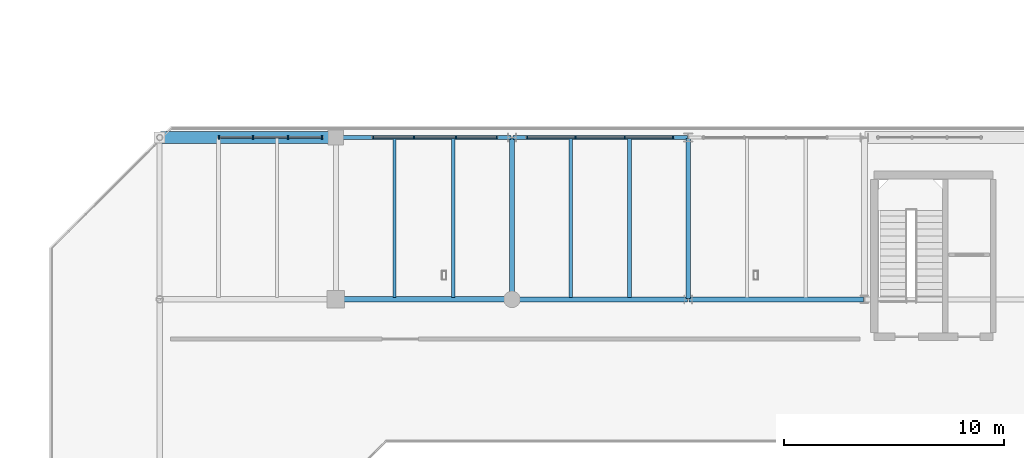
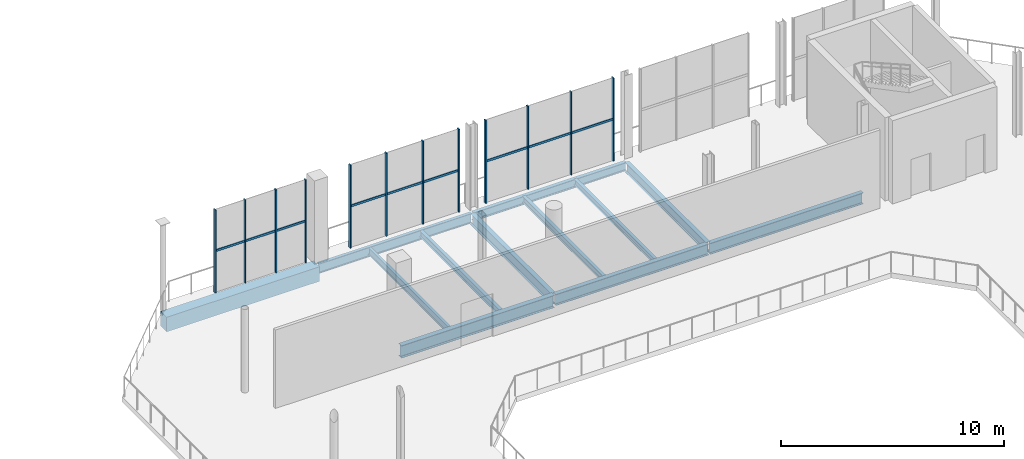
# One storey, part 21 of 51: 21 members, 12 beams, 3 elements without a shape of their own.
"""IFC4 building model written with IfcOpenShell, lengths in metres."""

from ifc_helpers import new_model, si_unit, direction, frame, origin, origin_2d, place, context, subcontext, project, spatial, rectangle, i_section, extrude, material, material_profile, profile_set, type_object, element, aggregate, save


model = new_model("IFC4")

# Units and contexts
model_context = context("Model", 3, precision=1e-05, world=origin(), true_north=direction((0.0, 1.0)))
body_context = subcontext(model_context, "Body", "Model", "MODEL_VIEW")
ifc_project = project(units=[si_unit("LENGTHUNIT", "METRE"), si_unit("AREAUNIT", "SQUARE_METRE"), si_unit("VOLUMEUNIT", "CUBIC_METRE"), si_unit("PLANEANGLEUNIT", "RADIAN"), si_unit("MASSUNIT", "GRAM", prefix="KILO")], contexts=[model_context])

# Site, building, storey
site_placement = place(None, origin())
site = spatial("IfcSite", under=ifc_project, at=site_placement, CompositionType="ELEMENT")
building_placement = place(site_placement, origin())
building = spatial("IfcBuilding", under=site, at=building_placement, Name="Brisemont Oceanarium", CompositionType="ELEMENT")
storey_placement = place(building_placement, frame((0.0, 0.0, 15.0)))
storey = spatial("IfcBuildingStorey", under=building, at=storey_placement, Name="L03", CompositionType="ELEMENT", Elevation=15.0)

# Beams
ifc_material_1 = material(Name="Concrete C40/50", Category="concrete")
ifc_material_profile_1 = material_profile(ifc_material_1, rectangle(XDim=0.550048828125, YDim=0.800048828125, at=origin_2d()), Name="RC-BM-550X800")
ifc_profile_set_1 = profile_set([ifc_material_profile_1], Name="Concrete C40/50")
beam_type_1 = type_object("IfcBeamType", Name="BM-RC550X800", PredefinedType="SPANDREL", material=ifc_profile_set_1)
beam_1_placement = place(storey_placement, frame((64.0400390625, 79.35009765625, -0.679931640625), z_axis=(1.0, 0.0, 0.0), x_axis=(0.0, 1.0, 0.0)))
element("IfcBeam", 1, at=beam_1_placement, inside=storey, type_object=beam_type_1, Name="V1 L03 EW girder", PredefinedType="SPANDREL", context=body_context, shape_type="SweptSolid", body=[
    extrude(rectangle(XDim=0.550048828125, YDim=0.800048828125, at=origin_2d()), origin(), (0.0, 0.0, 1.0), 7.919921875),
])
ifc_material_2 = material(Name="Structural Steel ASTM A992 Gr.50", Category="steel")
ifc_material_profile_2 = material_profile(ifc_material_2, i_section(OverallWidth=0.1650390625, OverallDepth=0.31005859375, WebThickness=0.005859375, FlangeThickness=0.009765625, FilletRadius=0.008056640625, at=origin_2d()), Name="W12X26")
ifc_profile_set_2 = profile_set([ifc_material_profile_2], Name="Structural Steel ASTM A992 Gr.50")
beam_type_2 = type_object("IfcBeamType", Name="BM-W12X26", PredefinedType="JOIST", material=ifc_profile_set_2)
beam_2_placement = place(storey_placement, frame((85.333251953125, 72.090087890625, -0.43505859375), z_axis=(0.0, 1.0, 0.0), x_axis=(-1.0, 0.0, 0.0)))
element("IfcBeam", 2, at=beam_2_placement, inside=storey, type_object=beam_type_2, Name="V1 L03 secondary floor beam", PredefinedType="JOIST", context=body_context, shape_type="SweptSolid", body=[
    extrude(i_section(OverallWidth=0.1650390625, OverallDepth=0.31005859375, WebThickness=0.005859375, FlangeThickness=0.009765625, FilletRadius=0.008056640625, at=origin_2d()), origin(), (0.0, 0.0, 1.0), 7.219970703125),
])
ifc_material_3 = material(Name="Structural Steel ASTM A992 Gr.50", Category="steel")
ifc_material_profile_3 = material_profile(ifc_material_3, i_section(OverallWidth=0.1708984375, OverallDepth=0.35107421875, WebThickness=0.0068359375, FlangeThickness=0.009765625, FilletRadius=0.010009765625, at=origin_2d()), Name="W14X30")
ifc_profile_set_3 = profile_set([ifc_material_profile_3], Name="Structural Steel ASTM A992 Gr.50")
beam_type_3 = type_object("IfcBeamType", Name="BM-W14X30", PredefinedType="JOIST", material=ifc_profile_set_3)
for number, where, z_axis, x_axis, name in (
    (3, (77.333251953125, 72.090087890625, -0.45556640625), (0.0, 1.0, 0.0), (-1.0, 0.0, 0.0), "V1 L03 secondary floor beam"),
    (4, (82.666748046875, 72.090087890625, -0.45556640625), (0.0, 1.0, 0.0), (-1.0, 0.0, 0.0), "V1 L03 secondary floor beam"),
):
    element("IfcBeam", number, at=place(storey_placement, frame(where, z_axis=z_axis, x_axis=x_axis)), inside=storey, type_object=beam_type_3, Name=name, PredefinedType="JOIST", context=body_context, shape_type="SweptSolid", body=[
        extrude(i_section(OverallWidth=0.1708984375, OverallDepth=0.35107421875, WebThickness=0.0068359375, FlangeThickness=0.009765625, FilletRadius=0.010009765625, at=origin_2d()), origin(), (0.0, 0.0, 1.0), 7.219970703125),
    ])
ifc_material_4 = material(Name="Structural Steel ASTM A992 Gr.50", Category="steel")
ifc_material_profile_4 = material_profile(ifc_material_4, i_section(OverallWidth=0.139892578125, OverallDepth=0.39892578125, WebThickness=0.00634765625, FlangeThickness=0.0087890625, FilletRadius=0.010009765625, at=origin_2d()), Name="W16X26")
ifc_profile_set_4 = profile_set([ifc_material_profile_4], Name="Structural Steel ASTM A992 Gr.50")
beam_type_4 = type_object("IfcBeamType", Name="BM-W16X26", PredefinedType="JOIST", material=ifc_profile_set_4)
beam_3_placement = place(storey_placement, frame((74.666748046875, 72.090087890625, -0.4794921875), z_axis=(0.0, 1.0, 0.0), x_axis=(-1.0, 0.0, 0.0)))
element("IfcBeam", 5, at=beam_3_placement, inside=storey, type_object=beam_type_4, Name="V1 L03 secondary floor beam", PredefinedType="JOIST", context=body_context, shape_type="SweptSolid", body=[
    extrude(i_section(OverallWidth=0.139892578125, OverallDepth=0.39892578125, WebThickness=0.00634765625, FlangeThickness=0.0087890625, FilletRadius=0.010009765625, at=origin_2d()), origin(), (0.0, 0.0, 1.0), 7.219970703125),
])
ifc_material_5 = material(Name="Structural Steel ASTM A992 Gr.50", Category="steel")
ifc_material_profile_5 = material_profile(ifc_material_5, i_section(OverallWidth=0.19091796875, OverallDepth=0.4599609375, WebThickness=0.010009765625, FlangeThickness=0.01611328125, FilletRadius=0.010986328125, at=origin_2d()), Name="W18X55")
ifc_profile_set_5 = profile_set([ifc_material_profile_5], Name="Structural Steel ASTM A992 Gr.50")
beam_type_5 = type_object("IfcBeamType", Name="BM-W18X55", PredefinedType="SPANDREL", material=ifc_profile_set_5)
beam_4_placement = place(storey_placement, frame((80.0400390625, 79.35009765625, -0.510009765625), z_axis=(1.0, 0.0, 0.0), x_axis=(0.0, 1.0, 0.0)))
element("IfcBeam", 6, at=beam_4_placement, inside=storey, type_object=beam_type_5, Name="V1 L03 EW girder", PredefinedType="SPANDREL", context=body_context, shape_type="SweptSolid", body=[
    extrude(i_section(OverallWidth=0.19091796875, OverallDepth=0.4599609375, WebThickness=0.010009765625, FlangeThickness=0.01611328125, FilletRadius=0.010986328125, at=origin_2d()), origin(), (0.0, 0.0, 1.0), 7.919921875),
])
ifc_material_6 = material(Name="Structural Steel ASTM A992 Gr.50", Category="steel")
ifc_material_profile_6 = material_profile(ifc_material_6, i_section(OverallWidth=0.166015625, OverallDepth=0.528076171875, WebThickness=0.009765625, FlangeThickness=0.013671875, FilletRadius=0.012939453125, at=origin_2d()), Name="W21X50")
ifc_profile_set_6 = profile_set([ifc_material_profile_6], Name="Structural Steel ASTM A992 Gr.50")
beam_type_6 = type_object("IfcBeamType", Name="BM-W21X50", PredefinedType="SPANDREL", material=ifc_profile_set_6)
beam_5_placement = place(storey_placement, frame((72.0400390625, 79.35009765625, -0.5439453125), z_axis=(1.0, 0.0, 0.0), x_axis=(0.0, 1.0, 0.0)))
element("IfcBeam", 7, at=beam_5_placement, inside=storey, type_object=beam_type_6, Name="V1 L03 EW girder", PredefinedType="SPANDREL", context=body_context, shape_type="SweptSolid", body=[
    extrude(i_section(OverallWidth=0.166015625, OverallDepth=0.528076171875, WebThickness=0.009765625, FlangeThickness=0.013671875, FilletRadius=0.012939453125, at=origin_2d()), origin(), (0.0, 0.0, 1.0), 7.919921875),
])
ifc_material_7 = material(Name="Structural Steel ASTM A992 Gr.50", Category="steel")
ifc_material_profile_7 = material_profile(ifc_material_7, i_section(OverallWidth=0.2099609375, OverallDepth=0.532958984375, WebThickness=0.01025390625, FlangeThickness=0.015625, FilletRadius=0.012939453125, at=origin_2d()), Name="W21X62")
ifc_profile_set_7 = profile_set([ifc_material_profile_7], Name="Structural Steel ASTM A992 Gr.50")
beam_type_7 = type_object("IfcBeamType", Name="BM-W21X62", PredefinedType="BEAM", material=ifc_profile_set_7)
beam_6_placement = place(storey_placement, frame((88.0, 72.0400390625, -0.54638671875), z_axis=(0.0, 1.0, 0.0), x_axis=(-1.0, 0.0, 0.0)))
element("IfcBeam", 8, at=beam_6_placement, inside=storey, type_object=beam_type_7, Name="V1 L03 NS girder", PredefinedType="BEAM", context=body_context, shape_type="SweptSolid", body=[
    extrude(i_section(OverallWidth=0.2099609375, OverallDepth=0.532958984375, WebThickness=0.01025390625, FlangeThickness=0.015625, FilletRadius=0.012939453125, at=origin_2d()), origin(), (0.0, 0.0, 1.0), 7.27001953125),
])
ifc_material_8 = material(Name="Structural Steel ASTM A992 Gr.50", Category="steel")
ifc_material_profile_8 = material_profile(ifc_material_8, i_section(OverallWidth=0.22802734375, OverallDepth=0.60205078125, WebThickness=0.010498046875, FlangeThickness=0.014892578125, FilletRadius=0.012939453125, at=origin_2d()), Name="W24X68")
ifc_profile_set_8 = profile_set([ifc_material_profile_8], Name="Structural Steel ASTM A992 Gr.50")
beam_type_8 = type_object("IfcBeamType", Name="BM-W24X68", PredefinedType="BEAM", material=ifc_profile_set_8)
beam_7_placement = place(storey_placement, frame((80.0, 72.0400390625, -0.5810546875), z_axis=(0.0, 1.0, 0.0), x_axis=(-1.0, 0.0, 0.0)))
element("IfcBeam", 9, at=beam_7_placement, inside=storey, type_object=beam_type_8, Name="V1 L03 NS girder", PredefinedType="BEAM", context=body_context, shape_type="SweptSolid", body=[
    extrude(i_section(OverallWidth=0.22802734375, OverallDepth=0.60205078125, WebThickness=0.010498046875, FlangeThickness=0.014892578125, FilletRadius=0.012939453125, at=origin_2d()), origin(), (0.0, 0.0, 1.0), 7.27001953125),
])
ifc_material_9 = material(Name="Structural Steel ASTM A992 Gr.50", Category="steel")
ifc_material_profile_9 = material_profile(ifc_material_9, i_section(OverallWidth=0.22802734375, OverallDepth=0.60791015625, WebThickness=0.01123046875, FlangeThickness=0.017333984375, FilletRadius=0.012939453125, at=origin_2d()), Name="W24X76")
ifc_profile_set_9 = profile_set([ifc_material_profile_9], Name="Structural Steel ASTM A992 Gr.50")
beam_type_9 = type_object("IfcBeamType", Name="BM-W24X76", PredefinedType="BEAM", material=ifc_profile_set_9)
beam_8_placement = place(storey_placement, frame((88.0400390625, 72.0, -0.583984375), z_axis=(1.0, 0.0, 0.0), x_axis=(0.0, 1.0, 0.0)))
element("IfcBeam", 10, at=beam_8_placement, inside=storey, type_object=beam_type_9, Name="V1 L03 EW girder", PredefinedType="BEAM", context=body_context, shape_type="SweptSolid", body=[
    extrude(i_section(OverallWidth=0.22802734375, OverallDepth=0.60791015625, WebThickness=0.01123046875, FlangeThickness=0.017333984375, FilletRadius=0.012939453125, at=origin_2d()), origin(), (0.0, 0.0, 1.0), 7.919921875),
])
ifc_material_10 = material(Name="Structural Steel ASTM A992 Gr.50", Category="steel")
ifc_material_profile_10 = material_profile(ifc_material_10, i_section(OverallWidth=0.22900390625, OverallDepth=0.612060546875, WebThickness=0.011962890625, FlangeThickness=0.01953125, FilletRadius=0.012939453125, at=origin_2d()), Name="W24X84")
ifc_profile_set_10 = profile_set([ifc_material_profile_10], Name="Structural Steel ASTM A992 Gr.50")
beam_type_10 = type_object("IfcBeamType", Name="BM-W24X84", PredefinedType="BEAM", material=ifc_profile_set_10)
beam_9_placement = place(storey_placement, frame((80.0400390625, 72.0, -0.5859375), z_axis=(1.0, 0.0, 0.0), x_axis=(0.0, 1.0, 0.0)))
element("IfcBeam", 11, at=beam_9_placement, inside=storey, type_object=beam_type_10, Name="V1 L03 EW girder", PredefinedType="BEAM", context=body_context, shape_type="SweptSolid", body=[
    extrude(i_section(OverallWidth=0.22900390625, OverallDepth=0.612060546875, WebThickness=0.011962890625, FlangeThickness=0.01953125, FilletRadius=0.012939453125, at=origin_2d()), origin(), (0.0, 0.0, 1.0), 7.919921875),
])
ifc_material_11 = material(Name="Structural Steel ASTM A992 Gr.50", Category="steel")
ifc_material_profile_11 = material_profile(ifc_material_11, i_section(OverallWidth=0.2529296875, OverallDepth=0.677978515625, WebThickness=0.01171875, FlangeThickness=0.016357421875, FilletRadius=0.014892578125, at=origin_2d()), Name="W27X84")
ifc_profile_set_11 = profile_set([ifc_material_profile_11], Name="Structural Steel ASTM A992 Gr.50")
beam_type_11 = type_object("IfcBeamType", Name="BM-W27X84", PredefinedType="BEAM", material=ifc_profile_set_11)
beam_10_placement = place(storey_placement, frame((72.0400390625, 72.0, -0.618896484375), z_axis=(1.0, 0.0, 0.0), x_axis=(0.0, 1.0, 0.0)))
element("IfcBeam", 12, at=beam_10_placement, inside=storey, type_object=beam_type_11, Name="V1 L03 EW girder", PredefinedType="BEAM", context=body_context, shape_type="SweptSolid", body=[
    extrude(i_section(OverallWidth=0.2529296875, OverallDepth=0.677978515625, WebThickness=0.01171875, FlangeThickness=0.016357421875, FilletRadius=0.014892578125, at=origin_2d()), origin(), (0.0, 0.0, 1.0), 7.919921875),
])

# Curtain wall, members
ifc_material_12 = material(Name="Anodized Extruded Aluminum 6063-T6", Category="aluminium")
curtain_wall_type = type_object("IfcCurtainWallType", Name="CW-CLR-58X36", PredefinedType="NOTDEFINED", material=ifc_material_12)
curtain_wall_1_placement = place(storey_placement, origin())
curtain_wall_1 = element("IfcCurtainWall", 13, at=curtain_wall_1_placement, inside=storey, type_object=curtain_wall_type, Name="CW-21 curtain wall CW-V1-N-L03-01", PredefinedType="NOTDEFINED")
ifc_material_13 = material(Name="Anodized Extruded Aluminum 6063-T6", Category="aluminium")
ifc_material_profile_12 = material_profile(ifc_material_13, rectangle(XDim=0.06005859375, YDim=0.14990234375, at=origin_2d()), Name="CWM-60X150")
ifc_profile_set_12 = profile_set([ifc_material_profile_12], Name="Anodized Extruded Aluminum 6063-T6")
member_type_1 = type_object("IfcMemberType", Name="MEM-CWM-60", PredefinedType="MULLION", material=ifc_profile_set_12)
member_1_placement = place(storey_placement, frame((66.695068359375, 79.35009765625, 0.0), z_axis=(0.0, 0.0, 1.0), x_axis=(1.0, 0.0, 0.0)))
member_1 = element("IfcMember", 14, at=member_1_placement, type_object=member_type_1, Name="CW-V1-N-L03-01 mullion 1", PredefinedType="MULLION", context=body_context, shape_type="SweptSolid", body=[
    extrude(rectangle(XDim=0.06005859375, YDim=0.14990234375, at=origin_2d()), origin(), (0.0, 0.0, 1.0), 4.5400390625),
])
member_2_placement = place(storey_placement, frame((68.239990234375, 79.35009765625, 0.0), z_axis=(0.0, 0.0, 1.0), x_axis=(1.0, 0.0, 0.0)))
member_2 = element("IfcMember", 15, at=member_2_placement, type_object=member_type_1, Name="CW-V1-N-L03-01 mullion 2", PredefinedType="MULLION", context=body_context, shape_type="SweptSolid", body=[
    extrude(rectangle(XDim=0.06005859375, YDim=0.14990234375, at=origin_2d()), origin(), (0.0, 0.0, 1.0), 4.5400390625),
])
member_3_placement = place(storey_placement, frame((69.830078125, 79.35009765625, 0.0), z_axis=(0.0, 0.0, 1.0), x_axis=(1.0, 0.0, 0.0)))
member_3 = element("IfcMember", 16, at=member_3_placement, type_object=member_type_1, Name="CW-V1-N-L03-01 mullion 3", PredefinedType="MULLION", context=body_context, shape_type="SweptSolid", body=[
    extrude(rectangle(XDim=0.06005859375, YDim=0.14990234375, at=origin_2d()), origin(), (0.0, 0.0, 1.0), 4.5400390625),
])
member_4_placement = place(storey_placement, frame((71.375, 79.35009765625, 0.0), z_axis=(0.0, 0.0, 1.0), x_axis=(1.0, 0.0, 0.0)))
member_4 = element("IfcMember", 17, at=member_4_placement, type_object=member_type_1, Name="CW-V1-N-L03-01 mullion 4", PredefinedType="MULLION", context=body_context, shape_type="SweptSolid", body=[
    extrude(rectangle(XDim=0.06005859375, YDim=0.14990234375, at=origin_2d()), origin(), (0.0, 0.0, 1.0), 4.5400390625),
])

curtain_wall_2_placement = place(storey_placement, origin())
curtain_wall_2 = element("IfcCurtainWall", 18, at=curtain_wall_2_placement, inside=storey, type_object=curtain_wall_type, Name="CW-21 curtain wall CW-V1-N-L03-02", PredefinedType="NOTDEFINED")
member_5_placement = place(storey_placement, frame((73.695068359375, 79.35009765625, 0.0), z_axis=(0.0, 0.0, 1.0), x_axis=(1.0, 0.0, 0.0)))
member_5 = element("IfcMember", 19, at=member_5_placement, type_object=member_type_1, Name="CW-V1-N-L03-02 mullion 1", PredefinedType="MULLION", context=body_context, shape_type="SweptSolid", body=[
    extrude(rectangle(XDim=0.06005859375, YDim=0.14990234375, at=origin_2d()), origin(), (0.0, 0.0, 1.0), 4.5400390625),
])
member_6_placement = place(storey_placement, frame((75.550048828125, 79.35009765625, 0.0), z_axis=(0.0, 0.0, 1.0), x_axis=(1.0, 0.0, 0.0)))
member_6 = element("IfcMember", 20, at=member_6_placement, type_object=member_type_1, Name="CW-V1-N-L03-02 mullion 2", PredefinedType="MULLION", context=body_context, shape_type="SweptSolid", body=[
    extrude(rectangle(XDim=0.06005859375, YDim=0.14990234375, at=origin_2d()), origin(), (0.0, 0.0, 1.0), 4.5400390625),
])
member_7_placement = place(storey_placement, frame((77.449951171875, 79.35009765625, 0.0), z_axis=(0.0, 0.0, 1.0), x_axis=(1.0, 0.0, 0.0)))
member_7 = element("IfcMember", 21, at=member_7_placement, type_object=member_type_1, Name="CW-V1-N-L03-02 mullion 3", PredefinedType="MULLION", context=body_context, shape_type="SweptSolid", body=[
    extrude(rectangle(XDim=0.06005859375, YDim=0.14990234375, at=origin_2d()), origin(), (0.0, 0.0, 1.0), 4.5400390625),
])
member_8_placement = place(storey_placement, frame((79.304931640625, 79.35009765625, 0.0), z_axis=(0.0, 0.0, 1.0), x_axis=(1.0, 0.0, 0.0)))
member_8 = element("IfcMember", 22, at=member_8_placement, type_object=member_type_1, Name="CW-V1-N-L03-02 mullion 4", PredefinedType="MULLION", context=body_context, shape_type="SweptSolid", body=[
    extrude(rectangle(XDim=0.06005859375, YDim=0.14990234375, at=origin_2d()), origin(), (0.0, 0.0, 1.0), 4.5400390625),
])

curtain_wall_3_placement = place(storey_placement, origin())
curtain_wall_3 = element("IfcCurtainWall", 23, at=curtain_wall_3_placement, inside=storey, type_object=curtain_wall_type, Name="CW-21 curtain wall CW-V1-N-L03-03", PredefinedType="NOTDEFINED")
member_9_placement = place(storey_placement, frame((80.695068359375, 79.35009765625, 0.0), z_axis=(0.0, 0.0, 1.0), x_axis=(1.0, 0.0, 0.0)))
member_9 = element("IfcMember", 24, at=member_9_placement, type_object=member_type_1, Name="CW-V1-N-L03-03 mullion 1", PredefinedType="MULLION", context=body_context, shape_type="SweptSolid", body=[
    extrude(rectangle(XDim=0.06005859375, YDim=0.14990234375, at=origin_2d()), origin(), (0.0, 0.0, 1.0), 4.5400390625),
])
member_10_placement = place(storey_placement, frame((82.88330078125, 79.35009765625, 0.0), z_axis=(0.0, 0.0, 1.0), x_axis=(1.0, 0.0, 0.0)))
member_10 = element("IfcMember", 25, at=member_10_placement, type_object=member_type_1, Name="CW-V1-N-L03-03 mullion 2", PredefinedType="MULLION", context=body_context, shape_type="SweptSolid", body=[
    extrude(rectangle(XDim=0.06005859375, YDim=0.14990234375, at=origin_2d()), origin(), (0.0, 0.0, 1.0), 4.5400390625),
])
member_11_placement = place(storey_placement, frame((85.11669921875, 79.35009765625, 0.0), z_axis=(0.0, 0.0, 1.0), x_axis=(1.0, 0.0, 0.0)))
member_11 = element("IfcMember", 26, at=member_11_placement, type_object=member_type_1, Name="CW-V1-N-L03-03 mullion 3", PredefinedType="MULLION", context=body_context, shape_type="SweptSolid", body=[
    extrude(rectangle(XDim=0.06005859375, YDim=0.14990234375, at=origin_2d()), origin(), (0.0, 0.0, 1.0), 4.5400390625),
])
member_12_placement = place(storey_placement, frame((87.304931640625, 79.35009765625, 0.0), z_axis=(0.0, 0.0, 1.0), x_axis=(1.0, 0.0, 0.0)))
member_12 = element("IfcMember", 27, at=member_12_placement, type_object=member_type_1, Name="CW-V1-N-L03-03 mullion 4", PredefinedType="MULLION", context=body_context, shape_type="SweptSolid", body=[
    extrude(rectangle(XDim=0.06005859375, YDim=0.14990234375, at=origin_2d()), origin(), (0.0, 0.0, 1.0), 4.5400390625),
])

# Member
ifc_material_14 = material(Name="Anodized Extruded Aluminum 6063-T6", Category="aluminium")
ifc_material_profile_13 = material_profile(ifc_material_14, rectangle(XDim=0.06005859375, YDim=0.1201171875, at=origin_2d()), Name="CWT-60X120")
ifc_profile_set_13 = profile_set([ifc_material_profile_13], Name="Anodized Extruded Aluminum 6063-T6")
member_type_2 = type_object("IfcMemberType", Name="MEM-CWT-60", PredefinedType="USERDEFINED", material=ifc_profile_set_13)
member_13_placement = place(storey_placement, frame((66.6650390625, 79.35009765625, 2.27001953125), z_axis=(1.0, 0.0, 0.0), x_axis=(0.0, 1.0, 0.0)))
member_13 = element("IfcMember", 28, at=member_13_placement, type_object=member_type_2, Name="CW-V1-N-L03-01 transom 1.1", ObjectType="TRANSOM", PredefinedType="USERDEFINED", context=body_context, shape_type="SweptSolid", body=[
    extrude(rectangle(XDim=0.06005859375, YDim=0.1201171875, at=origin_2d()), origin(), (0.0, 0.0, 1.0), 1.56005859375),
])

member_14_placement = place(storey_placement, frame((68.2548828125, 79.35009765625, 2.27001953125), z_axis=(1.0, 0.0, 0.0), x_axis=(0.0, 1.0, 0.0)))
member_14 = element("IfcMember", 29, at=member_14_placement, type_object=member_type_2, Name="CW-V1-N-L03-01 transom 2.1", ObjectType="TRANSOM", PredefinedType="USERDEFINED", context=body_context, shape_type="SweptSolid", body=[
    extrude(rectangle(XDim=0.06005859375, YDim=0.1201171875, at=origin_2d()), origin(), (0.0, 0.0, 1.0), 1.56005859375),
])

member_15_placement = place(storey_placement, frame((69.844970703125, 79.35009765625, 2.27001953125), z_axis=(1.0, 0.0, 0.0), x_axis=(0.0, 1.0, 0.0)))
member_15 = element("IfcMember", 30, at=member_15_placement, type_object=member_type_2, Name="CW-V1-N-L03-01 transom 3.1", ObjectType="TRANSOM", PredefinedType="USERDEFINED", context=body_context, shape_type="SweptSolid", body=[
    extrude(rectangle(XDim=0.06005859375, YDim=0.1201171875, at=origin_2d()), origin(), (0.0, 0.0, 1.0), 1.56005859375),
])

aggregate(curtain_wall_1, [member_1, member_2, member_3, member_4, member_13, member_14, member_15])

member_16_placement = place(storey_placement, frame((73.6650390625, 79.35009765625, 2.27001953125), z_axis=(1.0, 0.0, 0.0), x_axis=(0.0, 1.0, 0.0)))
member_16 = element("IfcMember", 31, at=member_16_placement, type_object=member_type_2, Name="CW-V1-N-L03-02 transom 1.1", ObjectType="TRANSOM", PredefinedType="USERDEFINED", context=body_context, shape_type="SweptSolid", body=[
    extrude(rectangle(XDim=0.06005859375, YDim=0.1201171875, at=origin_2d()), origin(), (0.0, 0.0, 1.0), 1.869873046875),
])

member_17_placement = place(storey_placement, frame((75.56494140625, 79.35009765625, 2.27001953125), z_axis=(1.0, 0.0, 0.0), x_axis=(0.0, 1.0, 0.0)))
member_17 = element("IfcMember", 32, at=member_17_placement, type_object=member_type_2, Name="CW-V1-N-L03-02 transom 2.1", ObjectType="TRANSOM", PredefinedType="USERDEFINED", context=body_context, shape_type="SweptSolid", body=[
    extrude(rectangle(XDim=0.06005859375, YDim=0.1201171875, at=origin_2d()), origin(), (0.0, 0.0, 1.0), 1.8701171875),
])

member_18_placement = place(storey_placement, frame((77.465087890625, 79.35009765625, 2.27001953125), z_axis=(1.0, 0.0, 0.0), x_axis=(0.0, 1.0, 0.0)))
member_18 = element("IfcMember", 33, at=member_18_placement, type_object=member_type_2, Name="CW-V1-N-L03-02 transom 3.1", ObjectType="TRANSOM", PredefinedType="USERDEFINED", context=body_context, shape_type="SweptSolid", body=[
    extrude(rectangle(XDim=0.06005859375, YDim=0.1201171875, at=origin_2d()), origin(), (0.0, 0.0, 1.0), 1.869873046875),
])

aggregate(curtain_wall_2, [member_5, member_6, member_7, member_8, member_16, member_17, member_18])

member_19_placement = place(storey_placement, frame((80.6650390625, 79.35009765625, 2.27001953125), z_axis=(1.0, 0.0, 0.0), x_axis=(0.0, 1.0, 0.0)))
member_19 = element("IfcMember", 34, at=member_19_placement, type_object=member_type_2, Name="CW-V1-N-L03-03 transom 1.1", ObjectType="TRANSOM", PredefinedType="USERDEFINED", context=body_context, shape_type="SweptSolid", body=[
    extrude(rectangle(XDim=0.06005859375, YDim=0.1201171875, at=origin_2d()), origin(), (0.0, 0.0, 1.0), 2.203369140625),
])

member_20_placement = place(storey_placement, frame((82.898193359375, 79.35009765625, 2.27001953125), z_axis=(1.0, 0.0, 0.0), x_axis=(0.0, 1.0, 0.0)))
member_20 = element("IfcMember", 35, at=member_20_placement, type_object=member_type_2, Name="CW-V1-N-L03-03 transom 2.1", ObjectType="TRANSOM", PredefinedType="USERDEFINED", context=body_context, shape_type="SweptSolid", body=[
    extrude(rectangle(XDim=0.06005859375, YDim=0.1201171875, at=origin_2d()), origin(), (0.0, 0.0, 1.0), 2.20361328125),
])

member_21_placement = place(storey_placement, frame((85.131591796875, 79.35009765625, 2.27001953125), z_axis=(1.0, 0.0, 0.0), x_axis=(0.0, 1.0, 0.0)))
member_21 = element("IfcMember", 36, at=member_21_placement, type_object=member_type_2, Name="CW-V1-N-L03-03 transom 3.1", ObjectType="TRANSOM", PredefinedType="USERDEFINED", context=body_context, shape_type="SweptSolid", body=[
    extrude(rectangle(XDim=0.06005859375, YDim=0.1201171875, at=origin_2d()), origin(), (0.0, 0.0, 1.0), 2.203369140625),
])

aggregate(curtain_wall_3, [member_9, member_10, member_11, member_12, member_19, member_20, member_21])

save(model, "model.ifc")
